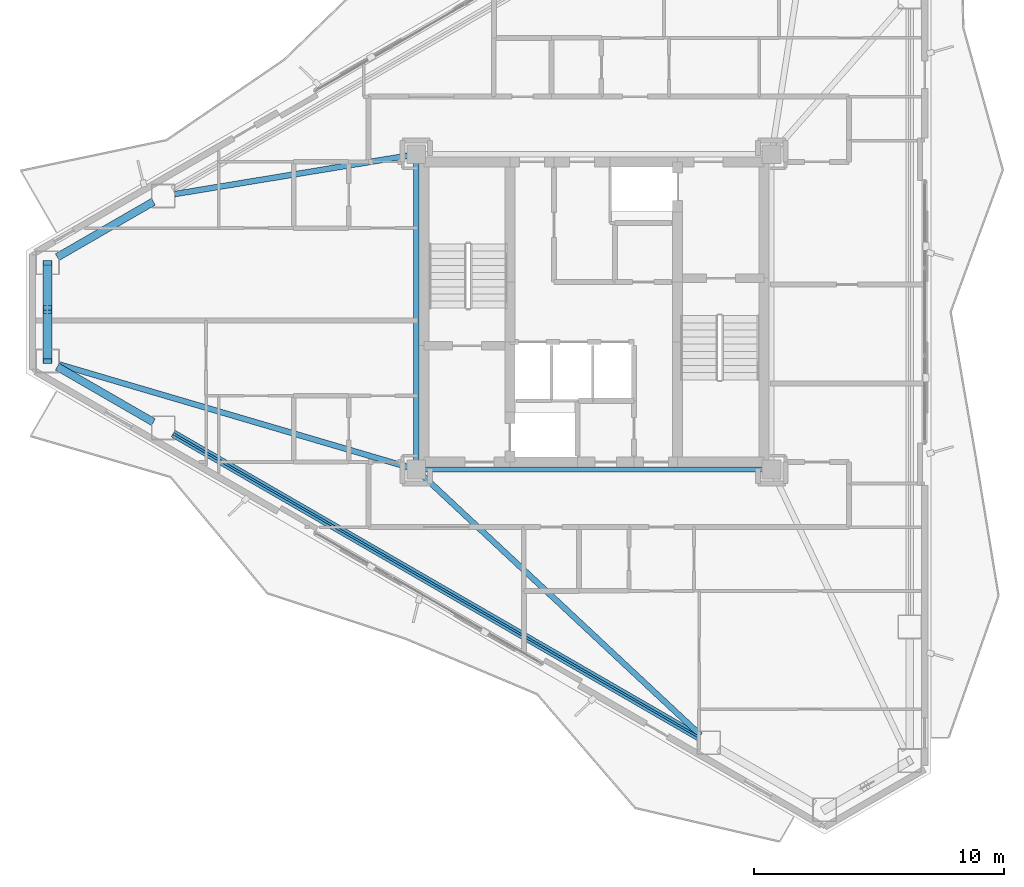
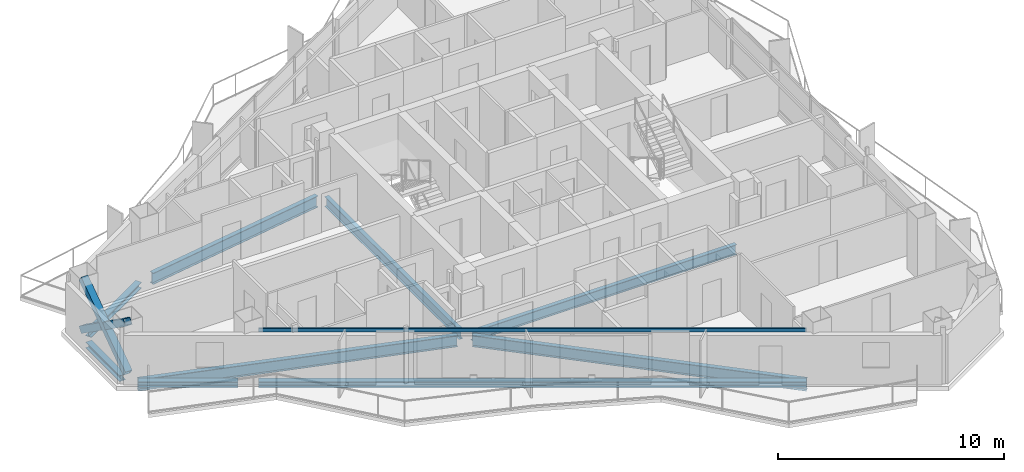
# One storey, part 4 of 19: 10 beams, 3 members.
"""IFC4 building model written with IfcOpenShell, lengths in metres."""

from ifc_helpers import new_model, si_unit, direction, frame, origin, origin_2d, place, context, subcontext, project, spatial, hollow_rectangle, i_section, extrude, material, material_profile, profile_set, type_object, element, save


model = new_model("IFC4")

# Units and contexts
model_context = context("Model", 3, precision=1e-05, world=origin(), true_north=direction((0.0, 1.0)))
body_context = subcontext(model_context, "Body", "Model", "MODEL_VIEW")
ifc_project = project(units=[si_unit("LENGTHUNIT", "METRE"), si_unit("AREAUNIT", "SQUARE_METRE"), si_unit("VOLUMEUNIT", "CUBIC_METRE"), si_unit("PLANEANGLEUNIT", "RADIAN"), si_unit("MASSUNIT", "GRAM", prefix="KILO")], contexts=[model_context])

# Site, building, storey
site_placement = place(None, origin())
site = spatial("IfcSite", under=ifc_project, at=site_placement, CompositionType="ELEMENT")
building_placement = place(site_placement, origin())
building = spatial("IfcBuilding", under=site, at=building_placement, Name="Mersakhor Tower and Convention Hall", CompositionType="ELEMENT")
storey_placement = place(building_placement, frame((0.0, 0.0, 124.5)))
storey = spatial("IfcBuildingStorey", under=building, at=storey_placement, Name="L34", CompositionType="ELEMENT", Elevation=124.5)

# Beams
ifc_material_1 = material(Name="Steel S355", Category="steel")
ifc_material_profile_1 = material_profile(ifc_material_1, i_section(OverallWidth=0.2099609375, OverallDepth=0.53662109375, WebThickness=0.0107421875, FlangeThickness=0.017333984375, at=origin_2d()), Name="UB 533x210x101")
ifc_profile_set_1 = profile_set([ifc_material_profile_1], Name="Steel S355")
beam_type_1 = type_object("IfcBeamType", Name="BM-FB-533", PredefinedType="BEAM", material=ifc_profile_set_1)
beam_1_placement = place(storey_placement, frame((21.89990234375, 20.804931640625, -0.50830078125), z_axis=(0.0, 1.0, 0.0), x_axis=(-1.0, 0.0, 0.0)))
element("IfcBeam", 1, at=beam_1_placement, inside=storey, type_object=beam_type_1, Name="L34 Core Ring Tie Beam CRB-1", PredefinedType="BEAM", context=body_context, shape_type="SweptSolid", body=[
    extrude(i_section(OverallWidth=0.2099609375, OverallDepth=0.53662109375, WebThickness=0.0107421875, FlangeThickness=0.017333984375, at=origin_2d()), origin(), (0.0, 0.0, 1.0), 11.89013671875),
])
beam_2_placement = place(storey_placement, frame((35.7451171875, 20.449951171875, -0.50830078125), z_axis=(-1.0, 0.0, 0.0), x_axis=(0.0, -1.0, 0.0)))
element("IfcBeam", 2, at=beam_2_placement, inside=storey, type_object=beam_type_1, Name="L34 Core Ring Tie Beam CRB-4", PredefinedType="BEAM", context=body_context, shape_type="SweptSolid", body=[
    extrude(i_section(OverallWidth=0.2099609375, OverallDepth=0.53662109375, WebThickness=0.0107421875, FlangeThickness=0.017333984375, at=origin_2d()), origin(), (0.0, 0.0, 1.0), 13.490234375),
])
ifc_material_2 = material(Name="Steel S355", Category="steel")
ifc_material_profile_2 = material_profile(ifc_material_2, hollow_rectangle(XDim=0.080078125, YDim=0.179931640625, WallThickness=0.008056640625, at=origin_2d()), Name="RHS 180x80x8")
ifc_profile_set_2 = profile_set([ifc_material_profile_2], Name="Steel S355")
beam_type_2 = type_object("IfcBeamType", Name="BM-GRT-RHS180", PredefinedType="USERDEFINED", material=ifc_profile_set_2)
beam_3_placement = place(storey_placement, frame((33.198486328125, 9.754638671875, 2.47998046875), z_axis=(-0.866027433267, 0.499996484816, 0.0), x_axis=(-0.499996484816, -0.866027433267, 0.0)))
element("IfcBeam", 3, at=beam_3_placement, inside=storey, type_object=beam_type_2, Name="L34 Facade Support Girt GRT-F3", ObjectType="GIRT", PredefinedType="USERDEFINED", context=body_context, shape_type="SweptSolid", body=[
    extrude(hollow_rectangle(XDim=0.080078125, YDim=0.179931640625, WallThickness=0.008056640625, at=origin_2d()), origin(), (0.0, 0.0, 1.0), 24.267333984375),
])
ifc_material_3 = material(Name="Steel S355", Category="steel")
ifc_material_profile_3 = material_profile(ifc_material_3, i_section(OverallWidth=0.22900390625, OverallDepth=0.6123046875, WebThickness=0.011962890625, FlangeThickness=0.01953125, at=origin_2d()), Name="UB 610x229x125")
ifc_profile_set_3 = profile_set([ifc_material_profile_3], Name="Steel S355")
beam_type_3 = type_object("IfcBeamType", Name="BM-PR-610", PredefinedType="BEAM", material=ifc_profile_set_3)
beam_4_placement = place(storey_placement, frame((21.5498046875, 32.9921875, -0.546142578125), z_axis=(-0.986703962282, -0.162527815515, 0.0), x_axis=(0.162527815515, -0.986703962282, 0.0)))
element("IfcBeam", 4, at=beam_4_placement, inside=storey, type_object=beam_type_3, Name="L34 Primary Floor Girder FG-1", PredefinedType="BEAM", context=body_context, shape_type="SweptSolid", body=[
    extrude(i_section(OverallWidth=0.22900390625, OverallDepth=0.6123046875, WebThickness=0.011962890625, FlangeThickness=0.01953125, at=origin_2d()), origin(), (0.0, 0.0, 1.0), 9.43798828125),
])
beam_5_placement = place(storey_placement, frame((22.159423828125, 20.207763671875, -0.546142578125), z_axis=(0.730740936679, -0.682654878736, 0.0), x_axis=(0.682654878736, 0.730740936679, 0.0)))
element("IfcBeam", 5, at=beam_5_placement, inside=storey, type_object=beam_type_3, Name="L34 Primary Floor Girder FG-5", PredefinedType="BEAM", context=body_context, shape_type="SweptSolid", body=[
    extrude(i_section(OverallWidth=0.22900390625, OverallDepth=0.6123046875, WebThickness=0.011962890625, FlangeThickness=0.01953125, at=origin_2d()), origin(), (0.0, 0.0, 1.0), 15.19091796875),
])
beam_6_placement = place(storey_placement, frame((21.559326171875, 20.55029296875, -0.546142578125), z_axis=(-0.959324090351, 0.282307083992, 0.0), x_axis=(-0.282307083992, -0.959324090351, 0.0)))
element("IfcBeam", 6, at=beam_6_placement, inside=storey, type_object=beam_type_3, Name="L34 Primary Floor Girder FG-6", PredefinedType="BEAM", context=body_context, shape_type="SweptSolid", body=[
    extrude(i_section(OverallWidth=0.22900390625, OverallDepth=0.6123046875, WebThickness=0.011962890625, FlangeThickness=0.01953125, at=origin_2d()), origin(), (0.0, 0.0, 1.0), 14.5546875),
])
ifc_material_4 = material(Name="Steel S355", Category="steel")
ifc_material_profile_4 = material_profile(ifc_material_4, i_section(OverallWidth=0.30908203125, OverallDepth=0.320556640625, WebThickness=0.013916015625, FlangeThickness=0.021728515625, at=origin_2d()), Name="UC 305x305x137")
ifc_profile_set_4 = profile_set([ifc_material_profile_4], Name="Steel S355")
beam_type_4 = type_object("IfcBeamType", Name="BM-SPD-UC305", PredefinedType="SPANDREL", material=ifc_profile_set_4)
beam_7_placement = place(storey_placement, frame((7.55419921875, 28.939697265625, -0.400146484375), z_axis=(0.866028798401, 0.499994120305, 0.0), x_axis=(-0.499994120305, 0.866028798401, 0.0)))
element("IfcBeam", 7, at=beam_7_placement, inside=storey, type_object=beam_type_4, Name="L34 Perimeter Spandrel Beam SPB-01", PredefinedType="SPANDREL", context=body_context, shape_type="SweptSolid", body=[
    extrude(i_section(OverallWidth=0.30908203125, OverallDepth=0.320556640625, WebThickness=0.013916015625, FlangeThickness=0.021728515625, at=origin_2d()), origin(), (0.0, 0.0, 1.0), 4.43408203125),
])
beam_8_placement = place(storey_placement, frame((33.198486328125, 9.754638671875, -0.400146484375), z_axis=(-0.866027433267, 0.499996484816, 0.0), x_axis=(-0.499996484816, -0.866027433267, 0.0)))
element("IfcBeam", 8, at=beam_8_placement, inside=storey, type_object=beam_type_4, Name="L34 Perimeter Spandrel Beam SPB-10", PredefinedType="SPANDREL", context=body_context, shape_type="SweptSolid", body=[
    extrude(i_section(OverallWidth=0.30908203125, OverallDepth=0.320556640625, WebThickness=0.013916015625, FlangeThickness=0.021728515625, at=origin_2d()), origin(), (0.0, 0.0, 1.0), 24.267333984375),
])
beam_9_placement = place(storey_placement, frame((11.394287109375, 22.34326171875, -0.400146484375), z_axis=(-0.866028798401, 0.499994120305, 0.0), x_axis=(-0.499994120305, -0.866028798401, 0.0)))
element("IfcBeam", 9, at=beam_9_placement, inside=storey, type_object=beam_type_4, Name="L34 Perimeter Spandrel Beam SPB-11", PredefinedType="SPANDREL", context=body_context, shape_type="SweptSolid", body=[
    extrude(i_section(OverallWidth=0.30908203125, OverallDepth=0.320556640625, WebThickness=0.013916015625, FlangeThickness=0.021728515625, at=origin_2d()), origin(), (0.0, 0.0, 1.0), 4.43408203125),
])
beam_10_placement = place(storey_placement, frame((7.160400390625, 25.24267578125, -0.400146484375), z_axis=(0.0, 1.0, 0.0), x_axis=(-1.0, 0.0, 0.0)))
element("IfcBeam", 10, at=beam_10_placement, inside=storey, type_object=beam_type_4, Name="L34 Perimeter Spandrel Beam SPB-12", PredefinedType="SPANDREL", context=body_context, shape_type="SweptSolid", body=[
    extrude(i_section(OverallWidth=0.30908203125, OverallDepth=0.320556640625, WebThickness=0.013916015625, FlangeThickness=0.021728515625, at=origin_2d()), origin(), (0.0, 0.0, 1.0), 3.0146484375),
])

# Members
ifc_material_5 = material(Name="Steel S460", Category="steel")
ifc_material_profile_5 = material_profile(ifc_material_5, hollow_rectangle(XDim=0.35009765625, YDim=0.35009765625, WallThickness=0.02001953125, at=origin_2d()), Name="SHS 350x350x20")
ifc_profile_set_5 = profile_set([ifc_material_profile_5], Name="Steel S460")
member_type = type_object("IfcMemberType", Name="MB-BRC-SHS350", PredefinedType="BRACE", material=ifc_profile_set_5)
member_placement = place(storey_placement, frame((7.160400390625, 24.78759765625, 0.14990234375), z_axis=(0.0, 0.817991748952, 0.575229952843), x_axis=(-1.0, 0.0, 0.0)))
element("IfcMember", 11, at=member_placement, inside=storey, type_object=member_type, Name="L34 Chamfer Braced Frame Diagonal CB-3A", PredefinedType="BRACE", context=body_context, shape_type="SweptSolid", body=[
    extrude(hollow_rectangle(XDim=0.35009765625, YDim=0.35009765625, WallThickness=0.02001953125, at=origin_2d()), origin(), (0.0, 0.0, 1.0), 4.798095703125),
])
for number, where, z_axis, x_axis, name in (
    (12, (7.160400390625, 28.71240234375, 0.14990234375), (0.0, -0.817960781121, 0.575273987372), (1.0, 0.0, 0.0), "L34 Chamfer Braced Frame Diagonal CB-3B Lower Half"),
    (13, (7.160400390625, 26.59130859375, 1.6416015625), (0.0, -0.818012878097, 0.575199905483), (1.0, 0.0, 0.0), "L34 Chamfer Braced Frame Diagonal CB-3B Upper Half"),
):
    element("IfcMember", number, at=place(storey_placement, frame(where, z_axis=z_axis, x_axis=x_axis)), inside=storey, type_object=member_type, Name=name, PredefinedType="BRACE", context=body_context, shape_type="SweptSolid", body=[
        extrude(hollow_rectangle(XDim=0.35009765625, YDim=0.35009765625, WallThickness=0.02001953125, at=origin_2d()), origin(), (0.0, 0.0, 1.0), 2.205078125),
    ])

save(model, "model.ifc")
